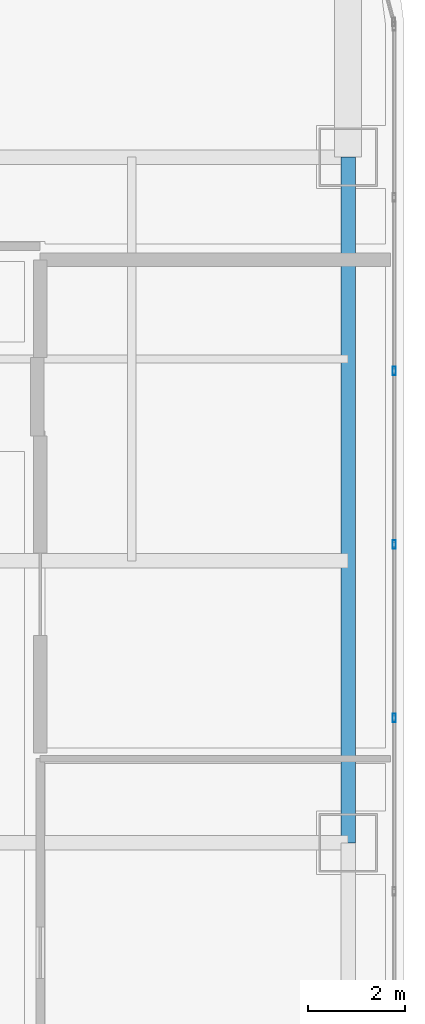
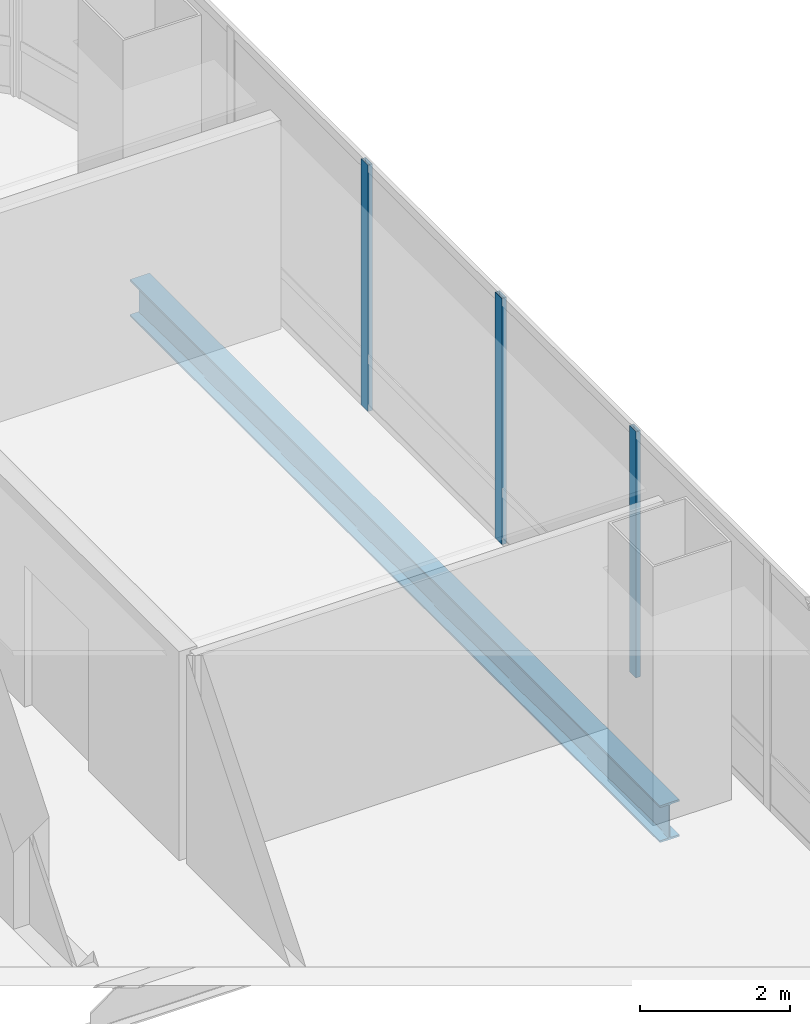
# One storey, part 20 of 41: 3 members, 1 beam, 1 element without a shape of its own.
"""IFC4 building model written with IfcOpenShell, lengths in metres."""

from ifc_helpers import new_model, si_unit, direction, frame, origin, origin_2d, place, context, subcontext, project, spatial, hollow_rectangle, i_section, extrude, material, material_profile, profile_set, type_object, element, aggregate, save


model = new_model("IFC4")

# Units and contexts
model_context = context("Model", 3, precision=1e-05, world=origin(), true_north=direction((0.0, 1.0)))
body_context = subcontext(model_context, "Body", "Model", "MODEL_VIEW")
ifc_project = project(units=[si_unit("LENGTHUNIT", "METRE"), si_unit("AREAUNIT", "SQUARE_METRE"), si_unit("VOLUMEUNIT", "CUBIC_METRE"), si_unit("PLANEANGLEUNIT", "RADIAN"), si_unit("MASSUNIT", "GRAM", prefix="KILO")], contexts=[model_context])

# Site, building, storey
site_placement = place(None, origin())
site = spatial("IfcSite", under=ifc_project, at=site_placement, CompositionType="ELEMENT")
building_placement = place(site_placement, origin())
building = spatial("IfcBuilding", under=site, at=building_placement, Name="Punatoya Terracotta Tower", CompositionType="ELEMENT")
storey_placement = place(building_placement, frame((0.0, 0.0, 292.199951171875)))
storey = spatial("IfcBuildingStorey", under=building, at=storey_placement, Name="L69", CompositionType="ELEMENT", Elevation=292.199951171875)

# Beam
ifc_material_1 = material(Name="Steel S355", Category="steel")
ifc_material_profile_1 = material_profile(ifc_material_1, i_section(OverallWidth=0.300048828125, OverallDepth=0.60009765625, WebThickness=0.015380859375, FlangeThickness=0.030029296875, FilletRadius=0.01806640625, at=origin_2d()))
ifc_profile_set_1 = profile_set([ifc_material_profile_1], Name="Steel S355")
beam_type = type_object("IfcBeamType", Name="BM-PRI-600", PredefinedType="BEAM", material=ifc_profile_set_1)
beam_placement = place(storey_placement, frame((19.10009765625, 3.39990234375, -0.5), z_axis=(0.0, 1.0, 0.0), x_axis=(-1.0, 0.0, 0.0)))
element("IfcBeam", 1, at=beam_placement, inside=storey, type_object=beam_type, Name="BM-L69-RG-E3", PredefinedType="BEAM", context=body_context, shape_type="SweptSolid", body=[
    extrude(i_section(OverallWidth=0.300048828125, OverallDepth=0.60009765625, WebThickness=0.015380859375, FlangeThickness=0.030029296875, FilletRadius=0.01806640625, at=origin_2d()), origin(), (0.0, 0.0, 1.0), 14.10009765625),
])

# Curtain wall, members
ifc_material_2 = material(Name="Aluminium 6063-T6 + Double Low-E Glass", Category="aluminium")
curtain_wall_type = type_object("IfcCurtainWallType", Name="CW-M3", PredefinedType="NOTDEFINED", material=ifc_material_2)
curtain_wall_placement = place(storey_placement, origin())
curtain_wall = element("IfcCurtainWall", 2, at=curtain_wall_placement, inside=storey, type_object=curtain_wall_type, Name="L69 Curtain Wall CW-L69-E05-1", PredefinedType="NOTDEFINED")
ifc_material_3 = material(Name="Aluminium 6063-T6", Category="aluminium")
ifc_material_profile_2 = material_profile(ifc_material_3, hollow_rectangle(XDim=0.070068359375, YDim=0.179931640625, WallThickness=0.00390625, at=origin_2d()))
ifc_profile_set_2 = profile_set([ifc_material_profile_2], Name="Aluminium 6063-T6")
member_type = type_object("IfcMemberType", Name="CW-MUL-M3", PredefinedType="MULLION", material=ifc_profile_set_2)
member_1_placement = place(storey_placement, frame((20.050048828125, 5.96728515625, 0.0), z_axis=(0.0, 0.0, 1.0), x_axis=(1.0, 0.0, 0.0)))
member_1 = element("IfcMember", 3, at=member_1_placement, type_object=member_type, Name="CW-L69-E05-1 Mullion 06", PredefinedType="MULLION", context=body_context, shape_type="SweptSolid", body=[
    extrude(hollow_rectangle(XDim=0.070068359375, YDim=0.179931640625, WallThickness=0.00390625, at=origin_2d()), origin(), (0.0, 0.0, 1.0), 4.0),
])
member_2_placement = place(storey_placement, frame((20.050048828125, 9.534912109375, 0.0), z_axis=(0.0, 0.0, 1.0), x_axis=(1.0, 0.0, 0.0)))
member_2 = element("IfcMember", 4, at=member_2_placement, type_object=member_type, Name="CW-L69-E05-1 Mullion 07", PredefinedType="MULLION", context=body_context, shape_type="SweptSolid", body=[
    extrude(hollow_rectangle(XDim=0.070068359375, YDim=0.179931640625, WallThickness=0.00390625, at=origin_2d()), origin(), (0.0, 0.0, 1.0), 4.0),
])
member_3_placement = place(storey_placement, frame((20.050048828125, 13.10205078125, 0.0), z_axis=(0.0, 0.0, 1.0), x_axis=(1.0, 0.0, 0.0)))
member_3 = element("IfcMember", 5, at=member_3_placement, type_object=member_type, Name="CW-L69-E05-1 Mullion 08", PredefinedType="MULLION", context=body_context, shape_type="SweptSolid", body=[
    extrude(hollow_rectangle(XDim=0.070068359375, YDim=0.179931640625, WallThickness=0.00390625, at=origin_2d()), origin(), (0.0, 0.0, 1.0), 4.0),
])
aggregate(curtain_wall, [member_1, member_2, member_3])

save(model, "model.ifc")
